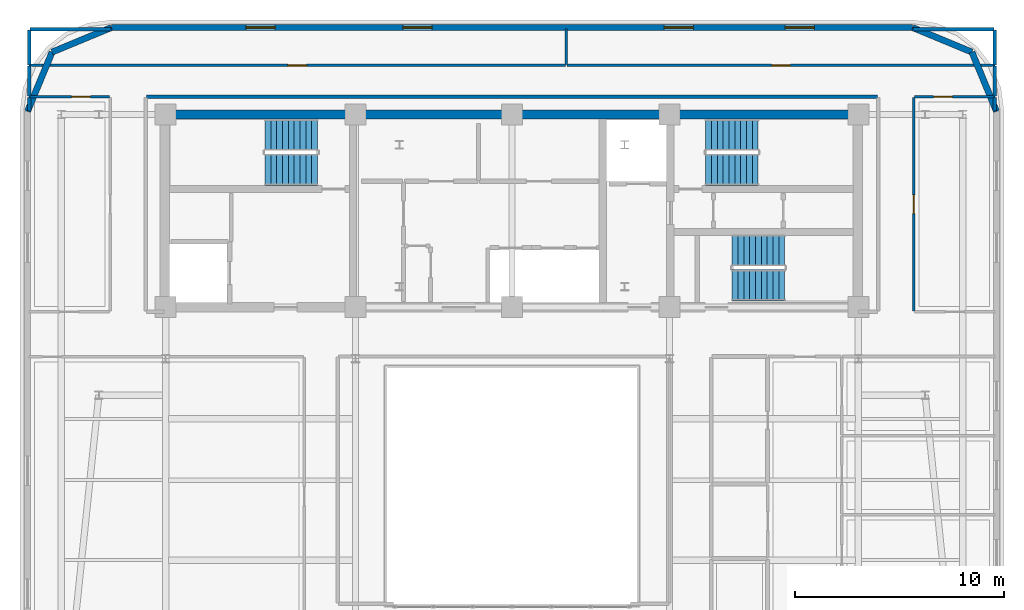
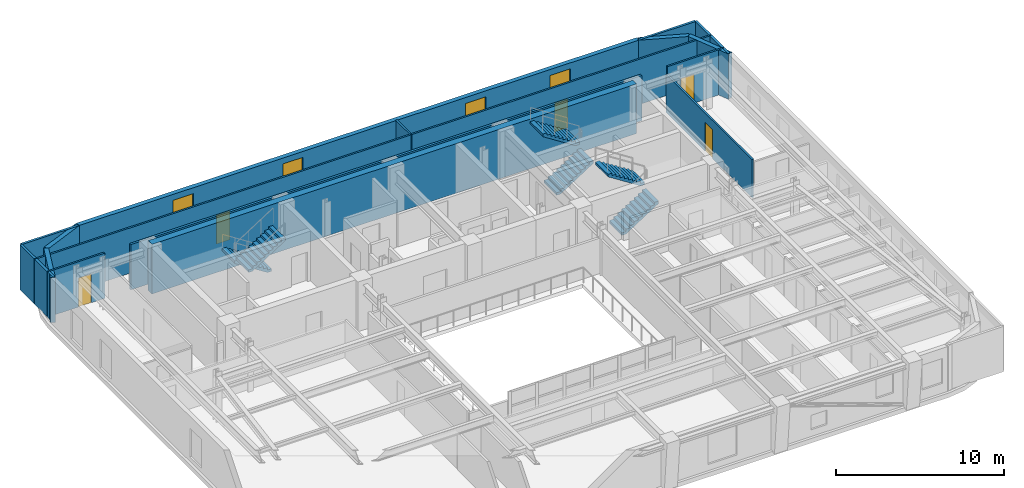
# One storey, part 9 of 13: 21 walls, 6 stair flights, 5 doors, 4 windows, 9 openings, 3 elements without a shape of their own.
"""IFC4 building model written with IfcOpenShell, lengths in metres."""

from ifc_helpers import new_model, si_unit, direction, frame, frame_2d, origin, place, context, subcontext, project, spatial, polyline, rectangle, outline, extrude, material, layer, layer_set, type_object, element, fill, aggregate, save


model = new_model("IFC4")

# Units and contexts
model_context = context("Model", 3, precision=1e-05, world=origin(), true_north=direction((0.0, 1.0)))
body_context = subcontext(model_context, "Body", "Model", "MODEL_VIEW")
ifc_project = project(units=[si_unit("LENGTHUNIT", "METRE"), si_unit("AREAUNIT", "SQUARE_METRE"), si_unit("VOLUMEUNIT", "CUBIC_METRE"), si_unit("PLANEANGLEUNIT", "RADIAN"), si_unit("MASSUNIT", "GRAM", prefix="KILO")], contexts=[model_context])

# Site, building, storey
site_placement = place(None, origin())
site = spatial("IfcSite", under=ifc_project, at=site_placement, CompositionType="ELEMENT")
building_placement = place(site_placement, origin())
building = spatial("IfcBuilding", under=site, at=building_placement, Name="Zarnavel Station Tower", CompositionType="ELEMENT")
storey_placement = place(building_placement, frame((0.0, 0.0, 240.0)))
storey = spatial("IfcBuildingStorey", under=building, at=storey_placement, Name="L65", CompositionType="ELEMENT", Elevation=240.0)

# Walls
ifc_material_1 = material(Name="Concrete C50/60", Category="concrete")
ifc_layer_1 = layer(ifc_material_1, 0.449951171875)
ifc_layer_set_1 = layer_set([ifc_layer_1], Name="CW_450")
wall_type_1 = type_object("IfcWallType", Name="CW_450", PredefinedType="SHEAR", material=ifc_layer_set_1)
wall_1_placement = place(storey_placement, frame((12.14990234375, 37.050048828125, 0.0), z_axis=(0.0, 0.0, 1.0), x_axis=(1.0, 0.0, 0.0)))
element("IfcWall", 1, at=wall_1_placement, inside=storey, type_object=wall_type_1, Name="L65 Rear Core Shear Wall N", PredefinedType="SHEAR", context=body_context, shape_type="SweptSolid", body=[
    extrude(rectangle(XDim=33.22998046875, YDim=0.449951171875, at=frame_2d((16.614990234375, 0.0))), origin(), (0.0, 0.0, 1.0), 3.60009765625),
])
ifc_material_2 = material(Name="Precast concrete C45/55 (Dark Basalt Finish)", Category="masonry")
ifc_layer_2 = layer(ifc_material_2, 0.300048828125)
ifc_layer_set_2 = layer_set([ifc_layer_2], Name="EW_BASALT_300")
wall_type_2 = type_object("IfcWallType", Name="EW_BASALT_300", PredefinedType="SOLIDWALL", material=ifc_layer_set_2)
for number, where, z_axis, x_axis, name in (
    (2, (50.842529296875, 40.04248046875, 0.0), (0.0, 0.0, 1.0), (0.382704529509, -0.923870793506, 0.0), "L65 Exterior Basalt Masonry Frame Wall 04"),
    (3, (48.0, 41.219970703125, 0.0), (0.0, 0.0, 1.0), (0.923870793506, -0.382704529509, 0.0), "L65 Exterior Basalt Masonry Frame Wall 05"),
):
    element("IfcWall", number, at=place(storey_placement, frame(where, z_axis=z_axis, x_axis=x_axis)), inside=storey, type_object=wall_type_2, Name=name, PredefinedType="SOLIDWALL", context=body_context, shape_type="SweptSolid", body=[
        extrude(rectangle(XDim=3.07666015625, YDim=0.300048828125, at=frame_2d((1.538330078125, 0.0))), origin(), (0.0, 0.0, 1.0), 3.280029296875),
    ])

# Wall, openings, windows
wall_2_placement = place(storey_placement, frame((9.60009765625, 41.219970703125, 0.0), z_axis=(0.0, 0.0, 1.0), x_axis=(1.0, 0.0, 0.0)))
wall_2 = element("IfcWall", 4, at=wall_2_placement, inside=storey, type_object=wall_type_2, Name="L65 Exterior Basalt Masonry Frame Wall 06", PredefinedType="SOLIDWALL", context=body_context, shape_type="SweptSolid", body=[
    extrude(rectangle(XDim=38.39990234375, YDim=0.300048828125, at=frame_2d((19.199951171875, 0.0))), origin(), (0.0, 0.0, 1.0), 3.280029296875),
])
opening_1_placement = place(wall_2_placement, frame((6.44677734375, 0.0, 0.75)))
opening_1 = element("IfcOpeningElement", 5, at=opening_1_placement, cuts=wall_2, Name="Opening WN04", PredefinedType="OPENING", context=body_context, shape_type="SweptSolid", body=[
    extrude(rectangle(XDim=1.39990234375, YDim=2.10009765625, at=frame_2d((0.699951171875, 1.050048828125))), frame((0.0, 0.159912109375, 0.0), z_axis=(0.0, -1.0, 0.0), x_axis=(1.0, 0.0, 0.0)), (0.0, 0.0, 1.0), 0.320068359375),
])
opening_2_placement = place(wall_2_placement, frame((13.973388671875, 0.0, 0.75)))
opening_2 = element("IfcOpeningElement", 6, at=opening_2_placement, cuts=wall_2, Name="Opening WN04", PredefinedType="OPENING", context=body_context, shape_type="SweptSolid", body=[
    extrude(rectangle(XDim=1.39990234375, YDim=2.10009765625, at=frame_2d((0.699951171875, 1.050048828125))), frame((0.0, 0.159912109375, 0.0), z_axis=(0.0, -1.0, 0.0), x_axis=(1.0, 0.0, 0.0)), (0.0, 0.0, 1.0), 0.320068359375),
])
opening_3_placement = place(wall_2_placement, frame((26.493408203125, 0.0, 0.75)))
opening_3 = element("IfcOpeningElement", 7, at=opening_3_placement, cuts=wall_2, Name="Opening WN04", PredefinedType="OPENING", context=body_context, shape_type="SweptSolid", body=[
    extrude(rectangle(XDim=1.39990234375, YDim=2.10009765625, at=frame_2d((0.699951171875, 1.050048828125))), frame((0.0, 0.159912109375, 0.0), z_axis=(0.0, -1.0, 0.0), x_axis=(1.0, 0.0, 0.0)), (0.0, 0.0, 1.0), 0.320068359375),
])
opening_4_placement = place(wall_2_placement, frame((32.28662109375, 0.0, 0.75)))
opening_4 = element("IfcOpeningElement", 8, at=opening_4_placement, cuts=wall_2, Name="Opening WN04", PredefinedType="OPENING", context=body_context, shape_type="SweptSolid", body=[
    extrude(rectangle(XDim=1.39990234375, YDim=2.10009765625, at=frame_2d((0.699951171875, 1.050048828125))), frame((0.0, 0.159912109375, 0.0), z_axis=(0.0, -1.0, 0.0), x_axis=(1.0, 0.0, 0.0)), (0.0, 0.0, 1.0), 0.320068359375),
])
ifc_material_3 = material(Name="Thermally Broken Black Aluminium and Low-E Dark Glass", Category="aluminium")
window_type = type_object("IfcWindowType", Name="WN_1400x2100", PartitioningType="DOUBLE_PANEL_VERTICAL", PredefinedType="WINDOW", material=ifc_material_3)
window_1_placement = place(opening_1_placement, origin())
window_1 = element("IfcWindow", 9, at=window_1_placement, inside=storey, type_object=window_type, Name="L65 Recessed Facade Window 01", OverallHeight=2.10009765625, OverallWidth=1.39990234375, PartitioningType="SINGLE_PANEL", PredefinedType="WINDOW", context=body_context, shape_type="SweptSolid", body=[
    extrude(rectangle(XDim=1.39990234375, YDim=2.10009765625, at=frame_2d((0.699951171875, 1.050048828125))), frame((0.0, 0.030029296875, 0.0), z_axis=(0.0, -1.0, 0.0), x_axis=(1.0, 0.0, 0.0)), (0.0, 0.0, 1.0), 0.06005859375),
])
fill(opening_1, window_1)
window_2_placement = place(opening_2_placement, origin())
window_2 = element("IfcWindow", 10, at=window_2_placement, inside=storey, type_object=window_type, Name="L65 Recessed Facade Window 02", OverallHeight=2.10009765625, OverallWidth=1.39990234375, PartitioningType="SINGLE_PANEL", PredefinedType="WINDOW", context=body_context, shape_type="SweptSolid", body=[
    extrude(rectangle(XDim=1.39990234375, YDim=2.10009765625, at=frame_2d((0.699951171875, 1.050048828125))), frame((0.0, 0.030029296875, 0.0), z_axis=(0.0, -1.0, 0.0), x_axis=(1.0, 0.0, 0.0)), (0.0, 0.0, 1.0), 0.06005859375),
])
fill(opening_2, window_2)
window_3_placement = place(opening_3_placement, origin())
window_3 = element("IfcWindow", 11, at=window_3_placement, inside=storey, type_object=window_type, Name="L65 Recessed Facade Window 03", OverallHeight=2.10009765625, OverallWidth=1.39990234375, PartitioningType="SINGLE_PANEL", PredefinedType="WINDOW", context=body_context, shape_type="SweptSolid", body=[
    extrude(rectangle(XDim=1.39990234375, YDim=2.10009765625, at=frame_2d((0.699951171875, 1.050048828125))), frame((0.0, 0.030029296875, 0.0), z_axis=(0.0, -1.0, 0.0), x_axis=(1.0, 0.0, 0.0)), (0.0, 0.0, 1.0), 0.06005859375),
])
fill(opening_3, window_3)
window_4_placement = place(opening_4_placement, origin())
window_4 = element("IfcWindow", 12, at=window_4_placement, inside=storey, type_object=window_type, Name="L65 Recessed Facade Window 04", OverallHeight=2.10009765625, OverallWidth=1.39990234375, PartitioningType="SINGLE_PANEL", PredefinedType="WINDOW", context=body_context, shape_type="SweptSolid", body=[
    extrude(rectangle(XDim=1.39990234375, YDim=2.10009765625, at=frame_2d((0.699951171875, 1.050048828125))), frame((0.0, 0.030029296875, 0.0), z_axis=(0.0, -1.0, 0.0), x_axis=(1.0, 0.0, 0.0)), (0.0, 0.0, 1.0), 0.06005859375),
])
fill(opening_4, window_4)

# Walls
wall_3_placement = place(storey_placement, frame((6.75732421875, 40.04248046875, 0.0), z_axis=(0.0, 0.0, 1.0), x_axis=(0.923882414032, 0.382676475685, 0.0)))
element("IfcWall", 13, at=wall_3_placement, inside=storey, type_object=wall_type_2, Name="L65 Exterior Basalt Masonry Frame Wall 07", PredefinedType="SOLIDWALL", context=body_context, shape_type="SweptSolid", body=[
    extrude(rectangle(XDim=3.076904296875, YDim=0.300048828125, at=frame_2d((1.53857421875, 0.0))), origin(), (0.0, 0.0, 1.0), 3.280029296875),
])
wall_4_placement = place(storey_placement, frame((5.580078125, 37.199951171875, 0.0), z_axis=(0.0, 0.0, 1.0), x_axis=(0.382636798336, 0.92389884758, 0.0)))
element("IfcWall", 14, at=wall_4_placement, inside=storey, type_object=wall_type_2, Name="L65 Exterior Basalt Masonry Frame Wall 08", PredefinedType="SOLIDWALL", context=body_context, shape_type="SweptSolid", body=[
    extrude(rectangle(XDim=3.07666015625, YDim=0.300048828125, at=frame_2d((1.538330078125, 0.0))), origin(), (0.0, 0.0, 1.0), 3.280029296875),
])
ifc_material_4 = material(Name="Gypsum Twin-Stud Acoustic Fire Partition", Category="concrete")
ifc_layer_3 = layer(ifc_material_4, 0.159912109375)
ifc_layer_set_3 = layer_set([ifc_layer_3], Name="PT_DEMISE_160")
wall_type_3 = type_object("IfcWallType", Name="PT_DEMISE_160", PredefinedType="PARTITIONING", material=ifc_layer_set_3)
wall_5_placement = place(storey_placement, frame((11.280029296875, 37.89990234375, 0.0), z_axis=(0.0, 0.0, 1.0), x_axis=(1.0, 0.0, 0.0)))
element("IfcWall", 15, at=wall_5_placement, inside=storey, type_object=wall_type_3, Name="L65 Enclosure Wall COR-N", PredefinedType="PARTITIONING", context=body_context, shape_type="SweptSolid", body=[
    extrude(rectangle(XDim=35.0400390625, YDim=0.159912109375, at=frame_2d((17.52001953125, 0.0))), origin(), (0.0, 0.0, 1.0), 3.280029296875),
])
for number, where, z_axis, x_axis, name in (
    (16, (5.659912109375, 37.929931640625, 0.0), (0.0, 0.0, 1.0), (0.0, 1.0, 0.0), "L65 Enclosure Wall COR-N"),
    (17, (51.93994140625, 37.929931640625, 0.0), (0.0, 0.0, 1.0), (0.0, 1.0, 0.0), "L65 Enclosure Wall COR-N"),
):
    element("IfcWall", number, at=place(storey_placement, frame(where, z_axis=z_axis, x_axis=x_axis)), inside=storey, type_object=wall_type_3, Name=name, PredefinedType="PARTITIONING", context=body_context, shape_type="SweptSolid", body=[
        extrude(rectangle(XDim=1.440185546875, YDim=0.159912109375, at=frame_2d((0.72021484375, 0.0))), origin(), (0.0, 0.0, 1.0), 3.280029296875),
    ])
for number, where, z_axis, x_axis, name in (
    (18, (5.659912109375, 37.22998046875, 0.0), (0.0, 0.0, 1.0), (0.0, 1.0, 0.0), "L65 Enclosure Wall FNW"),
    (19, (51.93994140625, 37.22998046875, 0.0), (0.0, 0.0, 1.0), (0.0, 1.0, 0.0), "L65 Enclosure Wall FNE"),
):
    element("IfcWall", number, at=place(storey_placement, frame(where, z_axis=z_axis, x_axis=x_axis)), inside=storey, type_object=wall_type_3, Name=name, PredefinedType="PARTITIONING", context=body_context, shape_type="SweptSolid", body=[
        extrude(rectangle(XDim=0.64013671875, YDim=0.159912109375, at=frame_2d((0.320068359375, 0.0))), origin(), (0.0, 0.0, 1.0), 3.280029296875),
    ])
wall_6_placement = place(storey_placement, frame((5.68994140625, 41.139892578125, 0.0), z_axis=(0.0, 0.0, 1.0), x_axis=(1.0, 0.0, 0.0)))
element("IfcWall", 20, at=wall_6_placement, inside=storey, type_object=wall_type_3, Name="L65 Enclosure Wall NGYM", PredefinedType="PARTITIONING", context=body_context, shape_type="SweptSolid", body=[
    extrude(rectangle(XDim=3.880126953125, YDim=0.159912109375, at=frame_2d((1.93994140625, 0.0))), origin(), (0.0, 0.0, 1.0), 3.280029296875),
])
wall_7_placement = place(storey_placement, frame((5.659912109375, 39.429931640625, 0.0), z_axis=(0.0, 0.0, 1.0), x_axis=(0.0, 1.0, 0.0)))
element("IfcWall", 21, at=wall_7_placement, inside=storey, type_object=wall_type_3, Name="L65 Enclosure Wall NGYM", PredefinedType="PARTITIONING", context=body_context, shape_type="SweptSolid", body=[
    extrude(rectangle(XDim=1.68017578125, YDim=0.159912109375, at=frame_2d((0.840087890625, 0.0))), origin(), (0.0, 0.0, 1.0), 3.280029296875),
])
wall_8_placement = place(storey_placement, frame((48.030029296875, 41.139892578125, 0.0), z_axis=(0.0, 0.0, 1.0), x_axis=(1.0, 0.0, 0.0)))
element("IfcWall", 22, at=wall_8_placement, inside=storey, type_object=wall_type_3, Name="L65 Enclosure Wall NBRD", PredefinedType="PARTITIONING", context=body_context, shape_type="SweptSolid", body=[
    extrude(rectangle(XDim=3.8798828125, YDim=0.159912109375, at=frame_2d((1.93994140625, 0.0))), origin(), (0.0, 0.0, 1.0), 3.280029296875),
])
wall_9_placement = place(storey_placement, frame((51.93994140625, 39.429931640625, 0.0), z_axis=(0.0, 0.0, 1.0), x_axis=(0.0, 1.0, 0.0)))
element("IfcWall", 23, at=wall_9_placement, inside=storey, type_object=wall_type_3, Name="L65 Enclosure Wall NBRD", PredefinedType="PARTITIONING", context=body_context, shape_type="SweptSolid", body=[
    extrude(rectangle(XDim=1.68017578125, YDim=0.159912109375, at=frame_2d((0.840087890625, 0.0))), origin(), (0.0, 0.0, 1.0), 3.280029296875),
])

# Wall, opening, door
ifc_material_5 = material(Name="Gypsum Metal-Stud Interior Partition", Category="concrete")
ifc_layer_4 = layer(ifc_material_5, 0.1201171875)
ifc_layer_set_4 = layer_set([ifc_layer_4], Name="PT_ROOM_120")
wall_type_4 = type_object("IfcWallType", Name="PT_ROOM_120", PredefinedType="PARTITIONING", material=ifc_layer_set_4)
wall_10_placement = place(storey_placement, frame((48.050048828125, 27.639892578125, 0.0), z_axis=(0.0, 0.0, 1.0), x_axis=(0.0, 1.0, 0.0)))
wall_10 = element("IfcWall", 24, at=wall_10_placement, inside=storey, type_object=wall_type_4, Name="L65 Partition COR-E-FNE", PredefinedType="PARTITIONING", context=body_context, shape_type="SweptSolid", body=[
    extrude(rectangle(XDim=10.22021484375, YDim=0.1201171875, at=frame_2d((5.110107421875, 0.0))), origin(), (0.0, 0.0, 1.0), 2.760009765625),
])
opening_5_placement = place(wall_10_placement, frame((4.659912109375, 0.0, 0.0)))
opening_5 = element("IfcOpeningElement", 25, at=opening_5_placement, cuts=wall_10, Name="Opening ID01", PredefinedType="OPENING", context=body_context, shape_type="SweptSolid", body=[
    extrude(rectangle(XDim=0.89990234375, YDim=2.10009765625, at=frame_2d((0.449951171875, 1.050048828125))), frame((0.0, 0.070068359375, 0.0), z_axis=(0.0, -1.0, 0.0), x_axis=(1.0, 0.0, 0.0)), (0.0, 0.0, 1.0), 0.14013671875),
])
ifc_material_6 = material(Name="Painted Galvanised Steel and Hardwood Leaf", Category="steel")
door_type = type_object("IfcDoorType", Name="ID_ROOM_900", OperationType="NOTDEFINED", PredefinedType="DOOR", material=ifc_material_6)
door_1_placement = place(opening_5_placement, origin())
door_1 = element("IfcDoor", 26, at=door_1_placement, inside=storey, type_object=door_type, Name="L65 Door COR-E-FNE", OperationType="SINGLE_SWING_RIGHT", OverallHeight=2.10009765625, OverallWidth=0.89990234375, PredefinedType="DOOR", context=body_context, shape_type="SweptSolid", body=[
    extrude(rectangle(XDim=0.89990234375, YDim=2.10009765625, at=frame_2d((0.449951171875, 1.050048828125))), frame((0.0, 0.02490234375, 0.0), z_axis=(0.0, -1.0, 0.0), x_axis=(1.0, 0.0, 0.0)), (0.0, 0.0, 1.0), 0.050048828125),
])
fill(opening_5, door_1)

wall_11_placement = place(storey_placement, frame((5.659912109375, 37.89990234375, 0.0), z_axis=(0.0, 0.0, 1.0), x_axis=(1.0, 0.0, 0.0)))
wall_11 = element("IfcWall", 27, at=wall_11_placement, inside=storey, type_object=wall_type_4, Name="L65 Partition COR-N-FNW", PredefinedType="PARTITIONING", context=body_context, shape_type="SweptSolid", body=[
    extrude(rectangle(XDim=3.85009765625, YDim=0.1201171875, at=frame_2d((1.925048828125, 0.0))), origin(), (0.0, 0.0, 1.0), 3.280029296875),
])
opening_6_placement = place(wall_11_placement, frame((2.03125, 0.0, 0.0)))
opening_6 = element("IfcOpeningElement", 28, at=opening_6_placement, cuts=wall_11, Name="Opening ID01", PredefinedType="OPENING", context=body_context, shape_type="SweptSolid", body=[
    extrude(rectangle(XDim=0.89990234375, YDim=2.10009765625, at=frame_2d((0.449951171875, 1.050048828125))), frame((0.0, 0.070068359375, 0.0), z_axis=(0.0, -1.0, 0.0), x_axis=(1.0, 0.0, 0.0)), (0.0, 0.0, 1.0), 0.14013671875),
])
door_2_placement = place(opening_6_placement, origin())
door_2 = element("IfcDoor", 29, at=door_2_placement, inside=storey, type_object=door_type, Name="L65 Door COR-N-FNW", OperationType="SINGLE_SWING_LEFT", OverallHeight=2.10009765625, OverallWidth=0.89990234375, PredefinedType="DOOR", context=body_context, shape_type="SweptSolid", body=[
    extrude(rectangle(XDim=0.89990234375, YDim=2.10009765625, at=frame_2d((0.449951171875, 1.050048828125))), frame((0.0, 0.02490234375, 0.0), z_axis=(0.0, -1.0, 0.0), x_axis=(1.0, 0.0, 0.0)), (0.0, 0.0, 1.0), 0.050048828125),
])
fill(opening_6, door_2)

wall_12_placement = place(storey_placement, frame((48.090087890625, 37.89990234375, 0.0), z_axis=(0.0, 0.0, 1.0), x_axis=(1.0, 0.0, 0.0)))
wall_12 = element("IfcWall", 30, at=wall_12_placement, inside=storey, type_object=wall_type_4, Name="L65 Partition COR-N-FNE", PredefinedType="PARTITIONING", context=body_context, shape_type="SweptSolid", body=[
    extrude(rectangle(XDim=3.849853515625, YDim=0.1201171875, at=frame_2d((1.9248046875, 0.0))), origin(), (0.0, 0.0, 1.0), 3.280029296875),
])
opening_7_placement = place(wall_12_placement, frame((0.918701171875, 0.0, 0.0)))
opening_7 = element("IfcOpeningElement", 31, at=opening_7_placement, cuts=wall_12, Name="Opening ID01", PredefinedType="OPENING", context=body_context, shape_type="SweptSolid", body=[
    extrude(rectangle(XDim=0.89990234375, YDim=2.10009765625, at=frame_2d((0.449951171875, 1.050048828125))), frame((0.0, 0.070068359375, 0.0), z_axis=(0.0, -1.0, 0.0), x_axis=(1.0, 0.0, 0.0)), (0.0, 0.0, 1.0), 0.14013671875),
])
door_3_placement = place(opening_7_placement, origin())
door_3 = element("IfcDoor", 32, at=door_3_placement, inside=storey, type_object=door_type, Name="L65 Door COR-N-FNE", OperationType="SINGLE_SWING_RIGHT", OverallHeight=2.10009765625, OverallWidth=0.89990234375, PredefinedType="DOOR", context=body_context, shape_type="SweptSolid", body=[
    extrude(rectangle(XDim=0.89990234375, YDim=2.10009765625, at=frame_2d((0.449951171875, 1.050048828125))), frame((0.0, 0.02490234375, 0.0), z_axis=(0.0, -1.0, 0.0), x_axis=(1.0, 0.0, 0.0)), (0.0, 0.0, 1.0), 0.050048828125),
])
fill(opening_7, door_3)

wall_13_placement = place(storey_placement, frame((5.659912109375, 39.39990234375, 0.0), z_axis=(0.0, 0.0, 1.0), x_axis=(1.0, 0.0, 0.0)))
wall_13 = element("IfcWall", 33, at=wall_13_placement, inside=storey, type_object=wall_type_4, Name="L65 Partition COR-N-NGYM", PredefinedType="PARTITIONING", context=body_context, shape_type="SweptSolid", body=[
    extrude(rectangle(XDim=25.7001953125, YDim=0.1201171875, at=frame_2d((12.85009765625, 0.0))), origin(), (0.0, 0.0, 1.0), 3.280029296875),
])
opening_8_placement = place(wall_13_placement, frame((12.39990234375, 0.0, 0.0)))
opening_8 = element("IfcOpeningElement", 34, at=opening_8_placement, cuts=wall_13, Name="Opening ID01", PredefinedType="OPENING", context=body_context, shape_type="SweptSolid", body=[
    extrude(rectangle(XDim=0.89990234375, YDim=2.10009765625, at=frame_2d((0.449951171875, 1.050048828125))), frame((0.0, 0.070068359375, 0.0), z_axis=(0.0, -1.0, 0.0), x_axis=(1.0, 0.0, 0.0)), (0.0, 0.0, 1.0), 0.14013671875),
])
door_4_placement = place(opening_8_placement, origin())
door_4 = element("IfcDoor", 35, at=door_4_placement, inside=storey, type_object=door_type, Name="L65 Door COR-N-NGYM", OperationType="SINGLE_SWING_LEFT", OverallHeight=2.10009765625, OverallWidth=0.89990234375, PredefinedType="DOOR", context=body_context, shape_type="SweptSolid", body=[
    extrude(rectangle(XDim=0.89990234375, YDim=2.10009765625, at=frame_2d((0.449951171875, 1.050048828125))), frame((0.0, 0.02490234375, 0.0), z_axis=(0.0, -1.0, 0.0), x_axis=(1.0, 0.0, 0.0)), (0.0, 0.0, 1.0), 0.050048828125),
])
fill(opening_8, door_4)

wall_14_placement = place(storey_placement, frame((31.43994140625, 39.39990234375, 0.0), z_axis=(0.0, 0.0, 1.0), x_axis=(1.0, 0.0, 0.0)))
wall_14 = element("IfcWall", 36, at=wall_14_placement, inside=storey, type_object=wall_type_4, Name="L65 Partition COR-N-NBRD", PredefinedType="PARTITIONING", context=body_context, shape_type="SweptSolid", body=[
    extrude(rectangle(XDim=20.5, YDim=0.1201171875, at=frame_2d((10.25, 0.0))), origin(), (0.0, 0.0, 1.0), 3.280029296875),
])
opening_9_placement = place(wall_14_placement, frame((9.800048828125, 0.0, 0.0)))
opening_9 = element("IfcOpeningElement", 37, at=opening_9_placement, cuts=wall_14, Name="Opening ID01", PredefinedType="OPENING", context=body_context, shape_type="SweptSolid", body=[
    extrude(rectangle(XDim=0.89990234375, YDim=2.10009765625, at=frame_2d((0.449951171875, 1.050048828125))), frame((0.0, 0.070068359375, 0.0), z_axis=(0.0, -1.0, 0.0), x_axis=(1.0, 0.0, 0.0)), (0.0, 0.0, 1.0), 0.14013671875),
])
door_5_placement = place(opening_9_placement, origin())
door_5 = element("IfcDoor", 38, at=door_5_placement, inside=storey, type_object=door_type, Name="L65 Door COR-N-NBRD", OperationType="SINGLE_SWING_RIGHT", OverallHeight=2.10009765625, OverallWidth=0.89990234375, PredefinedType="DOOR", context=body_context, shape_type="SweptSolid", body=[
    extrude(rectangle(XDim=0.89990234375, YDim=2.10009765625, at=frame_2d((0.449951171875, 1.050048828125))), frame((0.0, 0.02490234375, 0.0), z_axis=(0.0, -1.0, 0.0), x_axis=(1.0, 0.0, 0.0)), (0.0, 0.0, 1.0), 0.050048828125),
])
fill(opening_9, door_5)

# Wall
wall_15_placement = place(storey_placement, frame((31.39990234375, 39.43994140625, 0.0), z_axis=(0.0, 0.0, 1.0), x_axis=(0.0, 1.0, 0.0)))
element("IfcWall", 39, at=wall_15_placement, inside=storey, type_object=wall_type_4, Name="L65 Partition NGYM-NBRD", PredefinedType="PARTITIONING", context=body_context, shape_type="SweptSolid", body=[
    extrude(rectangle(XDim=1.699951171875, YDim=0.1201171875, at=frame_2d((0.85009765625, 0.0))), origin(), (0.0, 0.0, 1.0), 3.280029296875),
])

# Stair, stair flights
ifc_material_7 = material(Name="Concrete C45/55", Category="concrete")
stair_type = type_object("IfcStairType", Name="ST_CORE_150", PredefinedType="HALF_TURN_STAIR", material=ifc_material_7)
stair_1_placement = place(storey_placement, origin())
stair_1 = element("IfcStair", 40, at=stair_1_placement, inside=storey, type_object=stair_type, Name="L65 Core Exit Stair ST1", PredefinedType="HALF_TURN_STAIR")
ifc_material_8 = material(Name="Concrete C45/55", Category="concrete")
ifc_layer_5 = layer(ifc_material_8, 0.179931640625)
ifc_layer_set_5 = layer_set([ifc_layer_5], Name="ST_CORE_150_FLT")
stair_flight_type = type_object("IfcStairFlightType", Name="ST_CORE_150_FLT", PredefinedType="STRAIGHT", material=ifc_layer_set_5)
stair_flight_1_placement = place(storey_placement, frame((19.47998046875, 36.070068359375, 0.0), z_axis=(0.0, 0.0, 1.0), x_axis=(-1.0, 0.0, 0.0)))
stair_flight_1 = element("IfcStairFlight", 41, at=stair_flight_1_placement, type_object=stair_flight_type, Name="ST1 flight 1", NumberOfRisers=10, NumberOfTreads=9, PredefinedType="STRAIGHT", RiserHeight=0.18, TreadLength=0.28, context=body_context, shape_type="SweptSolid", body=[
    extrude(outline(polyline([(0.0, 0.0), (0.0, 0.179931640625), (0.280029296875, 0.179931640625), (0.280029296875, 0.360107421875), (0.56005859375, 0.360107421875), (0.56005859375, 0.5400390625), (0.840087890625, 0.5400390625), (0.840087890625, 0.719970703125), (1.1201171875, 0.719970703125), (1.1201171875, 0.89990234375), (1.39990234375, 0.89990234375), (1.39990234375, 1.080078125), (1.679931640625, 1.080078125), (1.679931640625, 1.260009765625), (1.9599609375, 1.260009765625), (1.9599609375, 1.43994140625), (2.239990234375, 1.43994140625), (2.239990234375, 1.6201171875), (2.52001953125, 1.6201171875), (2.52001953125, 1.800048828125), (2.52001953125, 1.44189453125), (0.277099609375, 0.0), (0.0, 0.0)])), frame((0.0, 0.75, 0.0), z_axis=(0.0, -1.0, 0.0), x_axis=(1.0, 0.0, 0.0)), (0.0, 0.0, 1.0), 1.5),
])
stair_flight_2_placement = place(storey_placement, frame((16.9599609375, 34.409912109375, 1.800048828125), z_axis=(0.0, 0.0, 1.0), x_axis=(1.0, 0.0, 0.0)))
stair_flight_2 = element("IfcStairFlight", 42, at=stair_flight_2_placement, type_object=stair_flight_type, Name="ST1 flight 2", NumberOfRisers=10, NumberOfTreads=9, PredefinedType="STRAIGHT", RiserHeight=0.18, TreadLength=0.28, context=body_context, shape_type="SweptSolid", body=[
    extrude(outline(polyline([(0.0, 0.0), (0.0, 0.179931640625), (0.280029296875, 0.179931640625), (0.280029296875, 0.360107421875), (0.56005859375, 0.360107421875), (0.56005859375, 0.5400390625), (0.840087890625, 0.5400390625), (0.840087890625, 0.719970703125), (1.1201171875, 0.719970703125), (1.1201171875, 0.89990234375), (1.39990234375, 0.89990234375), (1.39990234375, 1.080078125), (1.679931640625, 1.080078125), (1.679931640625, 1.260009765625), (1.9599609375, 1.260009765625), (1.9599609375, 1.43994140625), (2.239990234375, 1.43994140625), (2.239990234375, 1.6201171875), (2.52001953125, 1.6201171875), (2.52001953125, 1.800048828125), (2.52001953125, 1.44189453125), (0.277099609375, 0.0), (0.0, 0.0)])), frame((0.0, 0.75, 0.0), z_axis=(0.0, -1.0, 0.0), x_axis=(1.0, 0.0, 0.0)), (0.0, 0.0, 1.0), 1.5),
])
aggregate(stair_1, [stair_flight_1, stair_flight_2])

stair_2_placement = place(storey_placement, origin())
stair_2 = element("IfcStair", 43, at=stair_2_placement, inside=storey, type_object=stair_type, Name="L65 Core Exit Stair ST2", PredefinedType="HALF_TURN_STAIR")
stair_flight_3_placement = place(storey_placement, frame((38.080078125, 34.409912109375, 0.0), z_axis=(0.0, 0.0, 1.0), x_axis=(1.0, 0.0, 0.0)))
stair_flight_3 = element("IfcStairFlight", 44, at=stair_flight_3_placement, type_object=stair_flight_type, Name="ST2 flight 1", NumberOfRisers=10, NumberOfTreads=9, PredefinedType="STRAIGHT", RiserHeight=0.18, TreadLength=0.28, context=body_context, shape_type="SweptSolid", body=[
    extrude(outline(polyline([(0.0, 0.0), (0.0, 0.179931640625), (0.280029296875, 0.179931640625), (0.280029296875, 0.360107421875), (0.56005859375, 0.360107421875), (0.56005859375, 0.5400390625), (0.840087890625, 0.5400390625), (0.840087890625, 0.719970703125), (1.1201171875, 0.719970703125), (1.1201171875, 0.89990234375), (1.39990234375, 0.89990234375), (1.39990234375, 1.080078125), (1.679931640625, 1.080078125), (1.679931640625, 1.260009765625), (1.9599609375, 1.260009765625), (1.9599609375, 1.43994140625), (2.239990234375, 1.43994140625), (2.239990234375, 1.6201171875), (2.52001953125, 1.6201171875), (2.52001953125, 1.800048828125), (2.52001953125, 1.44189453125), (0.277099609375, 0.0), (0.0, 0.0)])), frame((0.0, 0.75, 0.0), z_axis=(0.0, -1.0, 0.0), x_axis=(1.0, 0.0, 0.0)), (0.0, 0.0, 1.0), 1.5),
])
stair_flight_4_placement = place(storey_placement, frame((40.60009765625, 36.070068359375, 1.800048828125), z_axis=(0.0, 0.0, 1.0), x_axis=(-1.0, 0.0, 0.0)))
stair_flight_4 = element("IfcStairFlight", 45, at=stair_flight_4_placement, type_object=stair_flight_type, Name="ST2 flight 2", NumberOfRisers=10, NumberOfTreads=9, PredefinedType="STRAIGHT", RiserHeight=0.18, TreadLength=0.28, context=body_context, shape_type="SweptSolid", body=[
    extrude(outline(polyline([(0.0, 0.0), (0.0, 0.179931640625), (0.280029296875, 0.179931640625), (0.280029296875, 0.360107421875), (0.56005859375, 0.360107421875), (0.56005859375, 0.5400390625), (0.840087890625, 0.5400390625), (0.840087890625, 0.719970703125), (1.1201171875, 0.719970703125), (1.1201171875, 0.89990234375), (1.39990234375, 0.89990234375), (1.39990234375, 1.080078125), (1.679931640625, 1.080078125), (1.679931640625, 1.260009765625), (1.9599609375, 1.260009765625), (1.9599609375, 1.43994140625), (2.239990234375, 1.43994140625), (2.239990234375, 1.6201171875), (2.52001953125, 1.6201171875), (2.52001953125, 1.800048828125), (2.52001953125, 1.44189453125), (0.277099609375, 0.0), (0.0, 0.0)])), frame((0.0, 0.75, 0.0), z_axis=(0.0, -1.0, 0.0), x_axis=(1.0, 0.0, 0.0)), (0.0, 0.0, 1.0), 1.5),
])
aggregate(stair_2, [stair_flight_3, stair_flight_4])

stair_3_placement = place(storey_placement, origin())
stair_3 = element("IfcStair", 46, at=stair_3_placement, inside=storey, type_object=stair_type, Name="L65 Core Exit Stair ST3", PredefinedType="HALF_TURN_STAIR")
stair_flight_5_placement = place(storey_placement, frame((39.35009765625, 28.8701171875, 0.0), z_axis=(0.0, 0.0, 1.0), x_axis=(1.0, 0.0, 0.0)))
stair_flight_5 = element("IfcStairFlight", 47, at=stair_flight_5_placement, type_object=stair_flight_type, Name="ST3 flight 1", NumberOfRisers=10, NumberOfTreads=9, PredefinedType="STRAIGHT", RiserHeight=0.18, TreadLength=0.28, context=body_context, shape_type="SweptSolid", body=[
    extrude(outline(polyline([(0.0, 0.0), (0.0, 0.179931640625), (0.280029296875, 0.179931640625), (0.280029296875, 0.360107421875), (0.56005859375, 0.360107421875), (0.56005859375, 0.5400390625), (0.840087890625, 0.5400390625), (0.840087890625, 0.719970703125), (1.1201171875, 0.719970703125), (1.1201171875, 0.89990234375), (1.39990234375, 0.89990234375), (1.39990234375, 1.080078125), (1.679931640625, 1.080078125), (1.679931640625, 1.260009765625), (1.9599609375, 1.260009765625), (1.9599609375, 1.43994140625), (2.239990234375, 1.43994140625), (2.239990234375, 1.6201171875), (2.52001953125, 1.6201171875), (2.52001953125, 1.800048828125), (2.52001953125, 1.44189453125), (0.277099609375, 0.0), (0.0, 0.0)])), frame((0.0, 0.75, 0.0), z_axis=(0.0, -1.0, 0.0), x_axis=(1.0, 0.0, 0.0)), (0.0, 0.0, 1.0), 1.5),
])
stair_flight_6_placement = place(storey_placement, frame((41.8701171875, 30.530029296875, 1.800048828125), z_axis=(0.0, 0.0, 1.0), x_axis=(-1.0, 0.0, 0.0)))
stair_flight_6 = element("IfcStairFlight", 48, at=stair_flight_6_placement, type_object=stair_flight_type, Name="ST3 flight 2", NumberOfRisers=10, NumberOfTreads=9, PredefinedType="STRAIGHT", RiserHeight=0.18, TreadLength=0.28, context=body_context, shape_type="SweptSolid", body=[
    extrude(outline(polyline([(0.0, 0.0), (0.0, 0.179931640625), (0.280029296875, 0.179931640625), (0.280029296875, 0.360107421875), (0.56005859375, 0.360107421875), (0.56005859375, 0.5400390625), (0.840087890625, 0.5400390625), (0.840087890625, 0.719970703125), (1.1201171875, 0.719970703125), (1.1201171875, 0.89990234375), (1.39990234375, 0.89990234375), (1.39990234375, 1.080078125), (1.679931640625, 1.080078125), (1.679931640625, 1.260009765625), (1.9599609375, 1.260009765625), (1.9599609375, 1.43994140625), (2.239990234375, 1.43994140625), (2.239990234375, 1.6201171875), (2.52001953125, 1.6201171875), (2.52001953125, 1.800048828125), (2.52001953125, 1.44189453125), (0.277099609375, 0.0), (0.0, 0.0)])), frame((0.0, 0.75, 0.0), z_axis=(0.0, -1.0, 0.0), x_axis=(1.0, 0.0, 0.0)), (0.0, 0.0, 1.0), 1.5),
])
aggregate(stair_3, [stair_flight_5, stair_flight_6])

save(model, "model.ifc")
